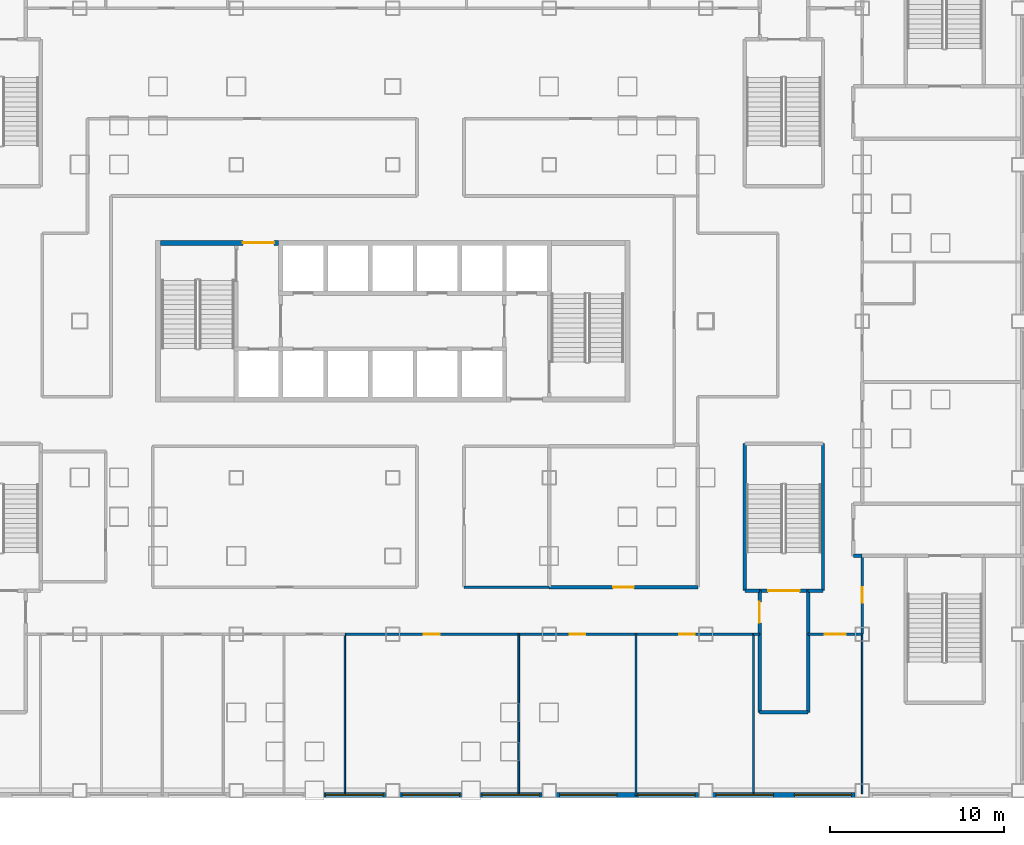
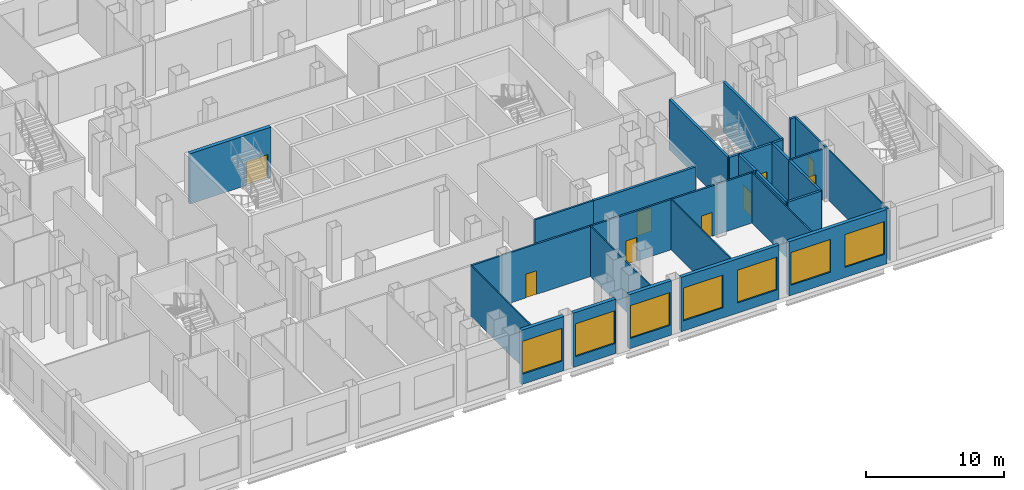
# One storey, part 4 of 23: 30 walls, 9 doors, 7 windows, 16 openings.
"""IFC4 building model written with IfcOpenShell, lengths in metres."""

from ifc_helpers import new_model, si_unit, direction, frame, frame_2d, origin, place, context, subcontext, project, spatial, rectangle, extrude, material, layer, layer_set, type_object, element, fill, save


model = new_model("IFC4")

# Units and contexts
model_context = context("Model", 3, precision=1e-05, world=origin(), true_north=direction((0.0, 1.0)))
body_context = subcontext(model_context, "Body", "Model", "MODEL_VIEW")
ifc_project = project(units=[si_unit("LENGTHUNIT", "METRE"), si_unit("AREAUNIT", "SQUARE_METRE"), si_unit("VOLUMEUNIT", "CUBIC_METRE"), si_unit("PLANEANGLEUNIT", "RADIAN"), si_unit("MASSUNIT", "GRAM", prefix="KILO")], contexts=[model_context])

# Site, building, storey
site_placement = place(None, origin())
site = spatial("IfcSite", under=ifc_project, at=site_placement, CompositionType="ELEMENT")
building_placement = place(site_placement, origin())
building = spatial("IfcBuilding", under=site, at=building_placement, Name="Caravel Reach Hotel and Residences", CompositionType="ELEMENT")
storey_placement = place(building_placement, frame((0.0, 0.0, 24.0)))
storey = spatial("IfcBuildingStorey", under=building, at=storey_placement, Name="L04", CompositionType="ELEMENT", Elevation=24.0)

# Wall, opening, door
ifc_material_1 = material(Name="Autoclaved aerated block wall")
ifc_layer_1 = layer(ifc_material_1, 0.199951171875)
ifc_layer_set_1 = layer_set([ifc_layer_1], Name="Compartment wall 200 mm EI 120")
wall_type_1 = type_object("IfcWallType", Name="Compartment wall 200 mm EI 120", PredefinedType="PARTITIONING", material=ifc_layer_set_1)
wall_1_placement = place(storey_placement, frame((40.5, 11.699951171875, 0.0), z_axis=(0.0, 0.0, 1.0), x_axis=(1.0, 0.0, 0.0)))
wall_1 = element("IfcWall", 1, at=wall_1_placement, inside=storey, type_object=wall_type_1, Name="L04 wall w087", PredefinedType="PARTITIONING", context=body_context, shape_type="SweptSolid", body=[
    extrude(rectangle(XDim=8.550048828125, YDim=0.199951171875, at=frame_2d((4.27490234375, 0.0))), origin(), (0.0, 0.0, 1.0), 4.449951171875),
])
opening_1_placement = place(wall_1_placement, frame((3.675048828125, 0.0, 0.0)))
opening_1 = element("IfcOpeningElement", 2, at=opening_1_placement, cuts=wall_1, Name="Opening D04-057", PredefinedType="OPENING", context=body_context, shape_type="SweptSolid", body=[
    extrude(rectangle(XDim=1.199951171875, YDim=2.10009765625, at=frame_2d((0.60009765625, 1.050048828125))), frame((0.0, 0.10986328125, 0.0), z_axis=(0.0, -1.0, 0.0), x_axis=(1.0, 0.0, 0.0)), (0.0, 0.0, 1.0), 0.219970703125),
])
ifc_material_2 = material(Name="Steel fire door leaf", Category="steel")
door_type_1 = type_object("IfcDoorType", Name="Plant room door 1200 x 2100 EI 60", OperationType="SINGLE_SWING_LEFT", PredefinedType="DOOR", material=ifc_material_2)
door_1_placement = place(opening_1_placement, origin())
door_1 = element("IfcDoor", 3, at=door_1_placement, inside=storey, type_object=door_type_1, Name="door D04-057", OperationType="SINGLE_SWING_RIGHT", OverallHeight=2.10009765625, OverallWidth=1.199951171875, PredefinedType="DOOR", context=body_context, shape_type="SweptSolid", body=[
    extrude(rectangle(XDim=1.199951171875, YDim=2.10009765625, at=frame_2d((0.60009765625, 1.050048828125))), frame((0.0, 0.02490234375, 0.0), z_axis=(0.0, -1.0, 0.0), x_axis=(1.0, 0.0, 0.0)), (0.0, 0.0, 1.0), 0.050048828125),
])
fill(opening_1, door_1)

# Walls
wall_2_placement = place(storey_placement, frame((58.0, 13.5, 0.0), z_axis=(0.0, 0.0, 1.0), x_axis=(1.0, 0.0, 0.0)))
element("IfcWall", 4, at=wall_2_placement, inside=storey, type_object=wall_type_1, Name="L04 wall w088", PredefinedType="PARTITIONING", context=body_context, shape_type="SweptSolid", body=[
    extrude(rectangle(XDim=0.5, YDim=0.199951171875, at=frame_2d((0.25, 0.0))), origin(), (0.0, 0.0, 1.0), 4.449951171875),
])
wall_3_placement = place(storey_placement, frame((52.60009765625, 4.5, 0.0), z_axis=(0.0, 0.0, 1.0), x_axis=(1.0, 0.0, 0.0)))
element("IfcWall", 5, at=wall_3_placement, inside=storey, type_object=wall_type_1, Name="L04 wall w101", PredefinedType="PARTITIONING", context=body_context, shape_type="SweptSolid", body=[
    extrude(rectangle(XDim=2.7998046875, YDim=0.199951171875, at=frame_2d((1.39990234375, 0.0))), origin(), (0.0, 0.0, 1.0), 4.449951171875),
])

# Wall, opening, door
wall_4_placement = place(storey_placement, frame((52.60009765625, 9.0, 0.0), z_axis=(0.0, 0.0, 1.0), x_axis=(0.0, 1.0, 0.0)))
wall_4 = element("IfcWall", 6, at=wall_4_placement, inside=storey, type_object=wall_type_1, Name="L04 wall w118", PredefinedType="PARTITIONING", context=body_context, shape_type="SweptSolid", body=[
    extrude(rectangle(XDim=2.5, YDim=0.199951171875, at=frame_2d((1.25, 0.0))), origin(), (0.0, 0.0, 1.0), 4.449951171875),
])
opening_2_placement = place(wall_4_placement, frame((0.64990234375, 0.0, 0.0)))
opening_2 = element("IfcOpeningElement", 7, at=opening_2_placement, cuts=wall_4, Name="Opening D04-020", PredefinedType="OPENING", context=body_context, shape_type="SweptSolid", body=[
    extrude(rectangle(XDim=1.199951171875, YDim=2.10009765625, at=frame_2d((0.60009765625, 1.050048828125))), frame((0.0, 0.10986328125, 0.0), z_axis=(0.0, -1.0, 0.0), x_axis=(1.0, 0.0, 0.0)), (0.0, 0.0, 1.0), 0.219970703125),
])
ifc_material_3 = material(Name="Steel fire door leaf", Category="steel")
door_type_2 = type_object("IfcDoorType", Name="Fire lobby door 1200 x 2100 EI 90", OperationType="SINGLE_SWING_LEFT", PredefinedType="DOOR", material=ifc_material_3)
door_2_placement = place(opening_2_placement, origin())
door_2 = element("IfcDoor", 8, at=door_2_placement, inside=storey, type_object=door_type_2, Name="door D04-020", OperationType="SINGLE_SWING_RIGHT", OverallHeight=2.10009765625, OverallWidth=1.199951171875, PredefinedType="DOOR", context=body_context, shape_type="SweptSolid", body=[
    extrude(rectangle(XDim=1.199951171875, YDim=2.10009765625, at=frame_2d((0.60009765625, 1.050048828125))), frame((0.0, 0.02490234375, 0.0), z_axis=(0.0, -1.0, 0.0), x_axis=(1.0, 0.0, 0.0)), (0.0, 0.0, 1.0), 0.050048828125),
])
fill(opening_2, door_2)

# Walls
wall_5_placement = place(storey_placement, frame((52.60009765625, 4.5, 0.0), z_axis=(0.0, 0.0, 1.0), x_axis=(0.0, 1.0, 0.0)))
element("IfcWall", 9, at=wall_5_placement, inside=storey, type_object=wall_type_1, Name="L04 wall w119", PredefinedType="PARTITIONING", context=body_context, shape_type="SweptSolid", body=[
    extrude(rectangle(XDim=4.5, YDim=0.199951171875, at=frame_2d((2.25, 0.0))), origin(), (0.0, 0.0, 1.0), 4.449951171875),
])
wall_6_placement = place(storey_placement, frame((55.39990234375, 9.0, 0.0), z_axis=(0.0, 0.0, 1.0), x_axis=(0.0, 1.0, 0.0)))
element("IfcWall", 10, at=wall_6_placement, inside=storey, type_object=wall_type_1, Name="L04 wall w122", PredefinedType="PARTITIONING", context=body_context, shape_type="SweptSolid", body=[
    extrude(rectangle(XDim=2.5, YDim=0.199951171875, at=frame_2d((1.25, 0.0))), origin(), (0.0, 0.0, 1.0), 4.449951171875),
])
wall_7_placement = place(storey_placement, frame((55.39990234375, 4.5, 0.0), z_axis=(0.0, 0.0, 1.0), x_axis=(0.0, 1.0, 0.0)))
element("IfcWall", 11, at=wall_7_placement, inside=storey, type_object=wall_type_1, Name="L04 wall w123", PredefinedType="PARTITIONING", context=body_context, shape_type="SweptSolid", body=[
    extrude(rectangle(XDim=4.5, YDim=0.199951171875, at=frame_2d((2.25, 0.0))), origin(), (0.0, 0.0, 1.0), 4.449951171875),
])

# Wall, opening, door
ifc_material_4 = material(Name="Concrete C60", Category="concrete")
ifc_layer_2 = layer(ifc_material_4, 0.300048828125)
ifc_layer_set_2 = layer_set([ifc_layer_2], Name="Core wall 300 mm EI 120")
wall_type_2 = type_object("IfcWallType", Name="Core wall 300 mm EI 120", PredefinedType="SHEAR", material=ifc_layer_set_2)
wall_8_placement = place(storey_placement, frame((18.14990234375, 31.5, 0.0), z_axis=(0.0, 0.0, 1.0), x_axis=(1.0, 0.0, 0.0)))
wall_8 = element("IfcWall", 12, at=wall_8_placement, inside=storey, type_object=wall_type_2, Name="L04 core wall N1", PredefinedType="SHEAR", context=body_context, shape_type="SweptSolid", body=[
    extrude(rectangle(XDim=6.796630859375, YDim=0.300048828125, at=frame_2d((3.3984375, 0.0))), origin(), (0.0, 0.0, 1.0), 4.449951171875),
])
opening_3_placement = place(wall_8_placement, frame((4.735595703125, 0.0, 0.0)))
opening_3 = element("IfcOpeningElement", 13, at=opening_3_placement, cuts=wall_8, Name="Opening D04-012", PredefinedType="OPENING", context=body_context, shape_type="SweptSolid", body=[
    extrude(rectangle(XDim=1.800048828125, YDim=2.10009765625, at=frame_2d((0.89990234375, 1.050048828125))), frame((0.0, 0.159912109375, 0.0), z_axis=(0.0, -1.0, 0.0), x_axis=(1.0, 0.0, 0.0)), (0.0, 0.0, 1.0), 0.320068359375),
])
ifc_material_5 = material(Name="Steel fire door leaf", Category="steel")
door_type_3 = type_object("IfcDoorType", Name="Fire lobby door pair 1800 x 2100 EI 90", OperationType="DOUBLE_DOOR_SINGLE_SWING", PredefinedType="DOOR", material=ifc_material_5)
door_3_placement = place(opening_3_placement, origin())
door_3 = element("IfcDoor", 14, at=door_3_placement, inside=storey, type_object=door_type_3, Name="lobby N door pair to corridor", OperationType="DOUBLE_DOOR_SINGLE_SWING", OverallHeight=2.10009765625, OverallWidth=1.800048828125, PredefinedType="DOOR", context=body_context, shape_type="SweptSolid", body=[
    extrude(rectangle(XDim=1.800048828125, YDim=2.10009765625, at=frame_2d((0.89990234375, 1.050048828125))), frame((0.0, 0.02490234375, 0.0), z_axis=(0.0, -1.0, 0.0), x_axis=(1.0, 0.0, 0.0)), (0.0, 0.0, 1.0), 0.050048828125),
])
fill(opening_3, door_3)

# Wall
ifc_material_6 = material(Name="Gypsum board on steel stud, fire-rated", Category="steel")
ifc_layer_3 = layer(ifc_material_6, 0.14990234375)
ifc_layer_set_3 = layer_set([ifc_layer_3], Name="Corridor wall 150 mm EI 60")
wall_type_3 = type_object("IfcWallType", Name="Corridor wall 150 mm EI 60", PredefinedType="PARTITIONING", material=ifc_layer_set_3)
wall_9_placement = place(storey_placement, frame((35.60009765625, 11.699951171875, 0.0), z_axis=(0.0, 0.0, 1.0), x_axis=(1.0, 0.0, 0.0)))
element("IfcWall", 15, at=wall_9_placement, inside=storey, type_object=wall_type_3, Name="L04 wall w001", PredefinedType="PARTITIONING", context=body_context, shape_type="SweptSolid", body=[
    extrude(rectangle(XDim=4.89990234375, YDim=0.14990234375, at=frame_2d((2.449951171875, 0.0))), origin(), (0.0, 0.0, 1.0), 4.449951171875),
])

# Wall, opening, door
wall_10_placement = place(storey_placement, frame((28.75, 9.0, 0.0), z_axis=(0.0, 0.0, 1.0), x_axis=(1.0, 0.0, 0.0)))
wall_10 = element("IfcWall", 16, at=wall_10_placement, inside=storey, type_object=wall_type_3, Name="L04 wall w029", PredefinedType="PARTITIONING", context=body_context, shape_type="SweptSolid", body=[
    extrude(rectangle(XDim=10.0, YDim=0.14990234375, at=frame_2d((5.0, 0.0))), origin(), (0.0, 0.0, 1.0), 4.449951171875),
])
opening_4_placement = place(wall_10_placement, frame((4.550048828125, 0.0, 0.0)))
opening_4 = element("IfcOpeningElement", 17, at=opening_4_placement, cuts=wall_10, Name="Opening D04-046", PredefinedType="OPENING", context=body_context, shape_type="SweptSolid", body=[
    extrude(rectangle(XDim=0.89990234375, YDim=2.10009765625, at=frame_2d((0.449951171875, 1.050048828125))), frame((0.0, 0.0849609375, 0.0), z_axis=(0.0, -1.0, 0.0), x_axis=(1.0, 0.0, 0.0)), (0.0, 0.0, 1.0), 0.169921875),
])
ifc_material_7 = material(Name="Timber and steel door leaf", Category="steel")
door_type_4 = type_object("IfcDoorType", Name="Door 900 x 2100 timber", OperationType="SINGLE_SWING_LEFT", PredefinedType="DOOR", material=ifc_material_7)
door_4_placement = place(opening_4_placement, origin())
door_4 = element("IfcDoor", 18, at=door_4_placement, inside=storey, type_object=door_type_4, Name="door D04-046", OperationType="SINGLE_SWING_RIGHT", OverallHeight=2.10009765625, OverallWidth=0.89990234375, PredefinedType="DOOR", context=body_context, shape_type="SweptSolid", body=[
    extrude(rectangle(XDim=0.89990234375, YDim=2.10009765625, at=frame_2d((0.449951171875, 1.050048828125))), frame((0.0, 0.02490234375, 0.0), z_axis=(0.0, -1.0, 0.0), x_axis=(1.0, 0.0, 0.0)), (0.0, 0.0, 1.0), 0.050048828125),
])
fill(opening_4, door_4)

wall_11_placement = place(storey_placement, frame((38.75, 9.0, 0.0), z_axis=(0.0, 0.0, 1.0), x_axis=(1.0, 0.0, 0.0)))
wall_11 = element("IfcWall", 19, at=wall_11_placement, inside=storey, type_object=wall_type_3, Name="L04 wall w030", PredefinedType="PARTITIONING", context=body_context, shape_type="SweptSolid", body=[
    extrude(rectangle(XDim=6.75, YDim=0.14990234375, at=frame_2d((3.375, 0.0))), origin(), (0.0, 0.0, 1.0), 4.449951171875),
])
opening_5_placement = place(wall_11_placement, frame((2.925048828125, 0.0, 0.0)))
opening_5 = element("IfcOpeningElement", 20, at=opening_5_placement, cuts=wall_11, Name="Opening D04-047", PredefinedType="OPENING", context=body_context, shape_type="SweptSolid", body=[
    extrude(rectangle(XDim=0.89990234375, YDim=2.10009765625, at=frame_2d((0.449951171875, 1.050048828125))), frame((0.0, 0.0849609375, 0.0), z_axis=(0.0, -1.0, 0.0), x_axis=(1.0, 0.0, 0.0)), (0.0, 0.0, 1.0), 0.169921875),
])
door_5_placement = place(opening_5_placement, origin())
door_5 = element("IfcDoor", 21, at=door_5_placement, inside=storey, type_object=door_type_4, Name="door D04-047", OperationType="SINGLE_SWING_RIGHT", OverallHeight=2.10009765625, OverallWidth=0.89990234375, PredefinedType="DOOR", context=body_context, shape_type="SweptSolid", body=[
    extrude(rectangle(XDim=0.89990234375, YDim=2.10009765625, at=frame_2d((0.449951171875, 1.050048828125))), frame((0.0, 0.02490234375, 0.0), z_axis=(0.0, -1.0, 0.0), x_axis=(1.0, 0.0, 0.0)), (0.0, 0.0, 1.0), 0.050048828125),
])
fill(opening_5, door_5)

wall_12_placement = place(storey_placement, frame((45.5, 9.0, 0.0), z_axis=(0.0, 0.0, 1.0), x_axis=(1.0, 0.0, 0.0)))
wall_12 = element("IfcWall", 22, at=wall_12_placement, inside=storey, type_object=wall_type_3, Name="L04 wall w031", PredefinedType="PARTITIONING", context=body_context, shape_type="SweptSolid", body=[
    extrude(rectangle(XDim=6.75, YDim=0.14990234375, at=frame_2d((3.375, 0.0))), origin(), (0.0, 0.0, 1.0), 4.449951171875),
])
opening_6_placement = place(wall_12_placement, frame((2.47509765625, 0.0, 0.0)))
opening_6 = element("IfcOpeningElement", 23, at=opening_6_placement, cuts=wall_12, Name="Opening D04-048", PredefinedType="OPENING", context=body_context, shape_type="SweptSolid", body=[
    extrude(rectangle(XDim=0.89990234375, YDim=2.10009765625, at=frame_2d((0.449951171875, 1.050048828125))), frame((0.0, 0.0849609375, 0.0), z_axis=(0.0, -1.0, 0.0), x_axis=(1.0, 0.0, 0.0)), (0.0, 0.0, 1.0), 0.169921875),
])
door_6_placement = place(opening_6_placement, origin())
door_6 = element("IfcDoor", 24, at=door_6_placement, inside=storey, type_object=door_type_4, Name="door D04-048", OperationType="SINGLE_SWING_LEFT", OverallHeight=2.10009765625, OverallWidth=0.89990234375, PredefinedType="DOOR", context=body_context, shape_type="SweptSolid", body=[
    extrude(rectangle(XDim=0.89990234375, YDim=2.10009765625, at=frame_2d((0.449951171875, 1.050048828125))), frame((0.0, 0.02490234375, 0.0), z_axis=(0.0, -1.0, 0.0), x_axis=(1.0, 0.0, 0.0)), (0.0, 0.0, 1.0), 0.050048828125),
])
fill(opening_6, door_6)

# Wall
wall_13_placement = place(storey_placement, frame((52.25, 9.0, 0.0), z_axis=(0.0, 0.0, 1.0), x_axis=(1.0, 0.0, 0.0)))
element("IfcWall", 25, at=wall_13_placement, inside=storey, type_object=wall_type_3, Name="L04 wall w032", PredefinedType="PARTITIONING", context=body_context, shape_type="SweptSolid", body=[
    extrude(rectangle(XDim=0.35009765625, YDim=0.14990234375, at=frame_2d((0.175048828125, 0.0))), origin(), (0.0, 0.0, 1.0), 4.449951171875),
])

# Wall, opening, door
wall_14_placement = place(storey_placement, frame((55.39990234375, 9.0, 0.0), z_axis=(0.0, 0.0, 1.0), x_axis=(1.0, 0.0, 0.0)))
wall_14 = element("IfcWall", 26, at=wall_14_placement, inside=storey, type_object=wall_type_3, Name="L04 wall w033", PredefinedType="PARTITIONING", context=body_context, shape_type="SweptSolid", body=[
    extrude(rectangle(XDim=3.10009765625, YDim=0.14990234375, at=frame_2d((1.550048828125, 0.0))), origin(), (0.0, 0.0, 1.0), 4.449951171875),
])
opening_7_placement = place(wall_14_placement, frame((0.949951171875, 0.0, 0.0)))
opening_7 = element("IfcOpeningElement", 27, at=opening_7_placement, cuts=wall_14, Name="Opening D04-049", PredefinedType="OPENING", context=body_context, shape_type="SweptSolid", body=[
    extrude(rectangle(XDim=1.199951171875, YDim=2.39990234375, at=frame_2d((0.60009765625, 1.199951171875))), frame((0.0, 0.0849609375, 0.0), z_axis=(0.0, -1.0, 0.0), x_axis=(1.0, 0.0, 0.0)), (0.0, 0.0, 1.0), 0.169921875),
])
ifc_material_8 = material(Name="Timber and steel door leaf", Category="steel")
door_type_5 = type_object("IfcDoorType", Name="Glazed door 1200 x 2400", OperationType="SINGLE_SWING_LEFT", PredefinedType="DOOR", material=ifc_material_8)
door_7_placement = place(opening_7_placement, origin())
door_7 = element("IfcDoor", 28, at=door_7_placement, inside=storey, type_object=door_type_5, Name="door D04-049", OperationType="SINGLE_SWING_LEFT", OverallHeight=2.39990234375, OverallWidth=1.199951171875, PredefinedType="DOOR", context=body_context, shape_type="SweptSolid", body=[
    extrude(rectangle(XDim=1.199951171875, YDim=2.39990234375, at=frame_2d((0.60009765625, 1.199951171875))), frame((0.0, 0.02490234375, 0.0), z_axis=(0.0, -1.0, 0.0), x_axis=(1.0, 0.0, 0.0)), (0.0, 0.0, 1.0), 0.050048828125),
])
fill(opening_7, door_7)

wall_15_placement = place(storey_placement, frame((58.5, 9.0, 0.0), z_axis=(0.0, 0.0, 1.0), x_axis=(0.0, 1.0, 0.0)))
wall_15 = element("IfcWall", 29, at=wall_15_placement, inside=storey, type_object=wall_type_3, Name="L04 wall w054", PredefinedType="PARTITIONING", context=body_context, shape_type="SweptSolid", body=[
    extrude(rectangle(XDim=4.5, YDim=0.14990234375, at=frame_2d((2.25, 0.0))), origin(), (0.0, 0.0, 1.0), 4.449951171875),
])
opening_8_placement = place(wall_15_placement, frame((1.800048828125, 0.0, 0.0)))
opening_8 = element("IfcOpeningElement", 30, at=opening_8_placement, cuts=wall_15, Name="Opening D04-034", PredefinedType="OPENING", context=body_context, shape_type="SweptSolid", body=[
    extrude(rectangle(XDim=0.89990234375, YDim=2.10009765625, at=frame_2d((0.449951171875, 1.050048828125))), frame((0.0, 0.0849609375, 0.0), z_axis=(0.0, -1.0, 0.0), x_axis=(1.0, 0.0, 0.0)), (0.0, 0.0, 1.0), 0.169921875),
])
door_8_placement = place(opening_8_placement, origin())
door_8 = element("IfcDoor", 31, at=door_8_placement, inside=storey, type_object=door_type_4, Name="door D04-034", OperationType="SINGLE_SWING_LEFT", OverallHeight=2.10009765625, OverallWidth=0.89990234375, PredefinedType="DOOR", context=body_context, shape_type="SweptSolid", body=[
    extrude(rectangle(XDim=0.89990234375, YDim=2.10009765625, at=frame_2d((0.449951171875, 1.050048828125))), frame((0.0, 0.02490234375, 0.0), z_axis=(0.0, -1.0, 0.0), x_axis=(1.0, 0.0, 0.0)), (0.0, 0.0, 1.0), 0.050048828125),
])
fill(opening_8, door_8)

# Wall, opening, window
ifc_material_9 = material(Name="Insulated wall, stone cladding", Category="masonry")
ifc_layer_4 = layer(ifc_material_9, 0.300048828125)
ifc_layer_set_4 = layer_set([ifc_layer_4], Name="EW2 Podium stone-clad wall")
wall_type_4 = type_object("IfcWallType", Name="EW2 Podium stone-clad wall", PredefinedType="SOLIDWALL", material=ifc_layer_set_4)
wall_16_placement = place(storey_placement, frame((27.550048828125, -0.25, 0.0), z_axis=(0.0, 0.0, 1.0), x_axis=(1.0, 0.0, 0.0)))
wall_16 = element("IfcWall", 32, at=wall_16_placement, inside=storey, type_object=wall_type_4, Name="External wall L04 S4.5", PredefinedType="SOLIDWALL", context=body_context, shape_type="SweptSolid", body=[
    extrude(rectangle(XDim=3.550048828125, YDim=0.300048828125, at=frame_2d((1.77490234375, 0.0))), origin(), (0.0, 0.0, 1.0), 4.800048828125),
])
opening_9_placement = place(wall_16_placement, frame((0.10009765625, 0.0, 0.89990234375)))
opening_9 = element("IfcOpeningElement", 33, at=opening_9_placement, cuts=wall_16, Name="Opening WN32", PredefinedType="OPENING", context=body_context, shape_type="SweptSolid", body=[
    extrude(rectangle(XDim=3.300048828125, YDim=2.89990234375, at=frame_2d((1.64990234375, 1.449951171875))), frame((0.0, 0.159912109375, 0.0), z_axis=(0.0, -1.0, 0.0), x_axis=(1.0, 0.0, 0.0)), (0.0, 0.0, 1.0), 0.320068359375),
])
ifc_material_10 = material(Name="Dark low-e glazing in black aluminium frame", Category="aluminium")
window_type = type_object("IfcWindowType", Name="Podium window 3300 x 2900", PartitioningType="SINGLE_PANEL", PredefinedType="WINDOW", material=ifc_material_10)
window_1_placement = place(opening_9_placement, origin())
window_1 = element("IfcWindow", 34, at=window_1_placement, inside=storey, type_object=window_type, Name="Window L04 S4.5.1", OverallHeight=2.89990234375, OverallWidth=3.300048828125, PartitioningType="SINGLE_PANEL", PredefinedType="WINDOW", context=body_context, shape_type="SweptSolid", body=[
    extrude(rectangle(XDim=3.300048828125, YDim=2.89990234375, at=frame_2d((1.64990234375, 1.449951171875))), frame((0.0, 0.030029296875, 0.0), z_axis=(0.0, -1.0, 0.0), x_axis=(1.0, 0.0, 0.0)), (0.0, 0.0, 1.0), 0.06005859375),
])
fill(opening_9, window_1)

wall_17_placement = place(storey_placement, frame((31.89990234375, -0.25, 0.0), z_axis=(0.0, 0.0, 1.0), x_axis=(1.0, 0.0, 0.0)))
wall_17 = element("IfcWall", 35, at=wall_17_placement, inside=storey, type_object=wall_type_4, Name="External wall L04 S4.6", PredefinedType="SOLIDWALL", context=body_context, shape_type="SweptSolid", body=[
    extrude(rectangle(XDim=3.550048828125, YDim=0.300048828125, at=frame_2d((1.77490234375, 0.0))), origin(), (0.0, 0.0, 1.0), 4.800048828125),
])
opening_10_placement = place(wall_17_placement, frame((0.14990234375, 0.0, 0.89990234375)))
opening_10 = element("IfcOpeningElement", 36, at=opening_10_placement, cuts=wall_17, Name="Opening WN32", PredefinedType="OPENING", context=body_context, shape_type="SweptSolid", body=[
    extrude(rectangle(XDim=3.300048828125, YDim=2.89990234375, at=frame_2d((1.64990234375, 1.449951171875))), frame((0.0, 0.159912109375, 0.0), z_axis=(0.0, -1.0, 0.0), x_axis=(1.0, 0.0, 0.0)), (0.0, 0.0, 1.0), 0.320068359375),
])
window_2_placement = place(opening_10_placement, origin())
window_2 = element("IfcWindow", 37, at=window_2_placement, inside=storey, type_object=window_type, Name="Window L04 S4.6.1", OverallHeight=2.89990234375, OverallWidth=3.300048828125, PartitioningType="SINGLE_PANEL", PredefinedType="WINDOW", context=body_context, shape_type="SweptSolid", body=[
    extrude(rectangle(XDim=3.300048828125, YDim=2.89990234375, at=frame_2d((1.64990234375, 1.449951171875))), frame((0.0, 0.030029296875, 0.0), z_axis=(0.0, -1.0, 0.0), x_axis=(1.0, 0.0, 0.0)), (0.0, 0.0, 1.0), 0.06005859375),
])
fill(opening_10, window_2)

wall_18_placement = place(storey_placement, frame((36.550048828125, -0.25, 0.0), z_axis=(0.0, 0.0, 1.0), x_axis=(1.0, 0.0, 0.0)))
wall_18 = element("IfcWall", 38, at=wall_18_placement, inside=storey, type_object=wall_type_4, Name="External wall L04 S4.7", PredefinedType="SOLIDWALL", context=body_context, shape_type="SweptSolid", body=[
    extrude(rectangle(XDim=3.550048828125, YDim=0.300048828125, at=frame_2d((1.77490234375, 0.0))), origin(), (0.0, 0.0, 1.0), 4.800048828125),
])
opening_11_placement = place(wall_18_placement, frame((0.10009765625, 0.0, 0.89990234375)))
opening_11 = element("IfcOpeningElement", 39, at=opening_11_placement, cuts=wall_18, Name="Opening WN32", PredefinedType="OPENING", context=body_context, shape_type="SweptSolid", body=[
    extrude(rectangle(XDim=3.300048828125, YDim=2.89990234375, at=frame_2d((1.64990234375, 1.449951171875))), frame((0.0, 0.159912109375, 0.0), z_axis=(0.0, -1.0, 0.0), x_axis=(1.0, 0.0, 0.0)), (0.0, 0.0, 1.0), 0.320068359375),
])
window_3_placement = place(opening_11_placement, origin())
window_3 = element("IfcWindow", 40, at=window_3_placement, inside=storey, type_object=window_type, Name="Window L04 S4.7.1", OverallHeight=2.89990234375, OverallWidth=3.300048828125, PartitioningType="SINGLE_PANEL", PredefinedType="WINDOW", context=body_context, shape_type="SweptSolid", body=[
    extrude(rectangle(XDim=3.300048828125, YDim=2.89990234375, at=frame_2d((1.64990234375, 1.449951171875))), frame((0.0, 0.030029296875, 0.0), z_axis=(0.0, -1.0, 0.0), x_axis=(1.0, 0.0, 0.0)), (0.0, 0.0, 1.0), 0.06005859375),
])
fill(opening_11, window_3)

# Wall, openings, windows
wall_19_placement = place(storey_placement, frame((40.89990234375, -0.25, 0.0), z_axis=(0.0, 0.0, 1.0), x_axis=(1.0, 0.0, 0.0)))
wall_19 = element("IfcWall", 41, at=wall_19_placement, inside=storey, type_object=wall_type_4, Name="External wall L04 S4.8", PredefinedType="SOLIDWALL", context=body_context, shape_type="SweptSolid", body=[
    extrude(rectangle(XDim=8.2001953125, YDim=0.300048828125, at=frame_2d((4.10009765625, 0.0))), origin(), (0.0, 0.0, 1.0), 4.800048828125),
])
opening_12_placement = place(wall_19_placement, frame((0.199951171875, 0.0, 0.89990234375)))
opening_12 = element("IfcOpeningElement", 42, at=opening_12_placement, cuts=wall_19, Name="Opening WN32", PredefinedType="OPENING", context=body_context, shape_type="SweptSolid", body=[
    extrude(rectangle(XDim=3.300048828125, YDim=2.89990234375, at=frame_2d((1.64990234375, 1.449951171875))), frame((0.0, 0.159912109375, 0.0), z_axis=(0.0, -1.0, 0.0), x_axis=(1.0, 0.0, 0.0)), (0.0, 0.0, 1.0), 0.320068359375),
])
opening_13_placement = place(wall_19_placement, frame((4.699951171875, 0.0, 0.89990234375)))
opening_13 = element("IfcOpeningElement", 43, at=opening_13_placement, cuts=wall_19, Name="Opening WN32", PredefinedType="OPENING", context=body_context, shape_type="SweptSolid", body=[
    extrude(rectangle(XDim=3.300048828125, YDim=2.89990234375, at=frame_2d((1.64990234375, 1.449951171875))), frame((0.0, 0.159912109375, 0.0), z_axis=(0.0, -1.0, 0.0), x_axis=(1.0, 0.0, 0.0)), (0.0, 0.0, 1.0), 0.320068359375),
])
window_4_placement = place(opening_12_placement, origin())
window_4 = element("IfcWindow", 44, at=window_4_placement, inside=storey, type_object=window_type, Name="Window L04 S4.8.1", OverallHeight=2.89990234375, OverallWidth=3.300048828125, PartitioningType="SINGLE_PANEL", PredefinedType="WINDOW", context=body_context, shape_type="SweptSolid", body=[
    extrude(rectangle(XDim=3.300048828125, YDim=2.89990234375, at=frame_2d((1.64990234375, 1.449951171875))), frame((0.0, 0.030029296875, 0.0), z_axis=(0.0, -1.0, 0.0), x_axis=(1.0, 0.0, 0.0)), (0.0, 0.0, 1.0), 0.06005859375),
])
fill(opening_12, window_4)
window_5_placement = place(opening_13_placement, origin())
window_5 = element("IfcWindow", 45, at=window_5_placement, inside=storey, type_object=window_type, Name="Window L04 S4.8.2", OverallHeight=2.89990234375, OverallWidth=3.300048828125, PartitioningType="SINGLE_PANEL", PredefinedType="WINDOW", context=body_context, shape_type="SweptSolid", body=[
    extrude(rectangle(XDim=3.300048828125, YDim=2.89990234375, at=frame_2d((1.64990234375, 1.449951171875))), frame((0.0, 0.030029296875, 0.0), z_axis=(0.0, -1.0, 0.0), x_axis=(1.0, 0.0, 0.0)), (0.0, 0.0, 1.0), 0.06005859375),
])
fill(opening_13, window_5)

wall_20_placement = place(storey_placement, frame((49.89990234375, -0.25, 0.0), z_axis=(0.0, 0.0, 1.0), x_axis=(1.0, 0.0, 0.0)))
wall_20 = element("IfcWall", 46, at=wall_20_placement, inside=storey, type_object=wall_type_4, Name="External wall L04 S4.9", PredefinedType="SOLIDWALL", context=body_context, shape_type="SweptSolid", body=[
    extrude(rectangle(XDim=8.2001953125, YDim=0.300048828125, at=frame_2d((4.10009765625, 0.0))), origin(), (0.0, 0.0, 1.0), 4.800048828125),
])
opening_14_placement = place(wall_20_placement, frame((0.199951171875, 0.0, 0.89990234375)))
opening_14 = element("IfcOpeningElement", 47, at=opening_14_placement, cuts=wall_20, Name="Opening WN32", PredefinedType="OPENING", context=body_context, shape_type="SweptSolid", body=[
    extrude(rectangle(XDim=3.300048828125, YDim=2.89990234375, at=frame_2d((1.64990234375, 1.449951171875))), frame((0.0, 0.159912109375, 0.0), z_axis=(0.0, -1.0, 0.0), x_axis=(1.0, 0.0, 0.0)), (0.0, 0.0, 1.0), 0.320068359375),
])
opening_15_placement = place(wall_20_placement, frame((4.699951171875, 0.0, 0.89990234375)))
opening_15 = element("IfcOpeningElement", 48, at=opening_15_placement, cuts=wall_20, Name="Opening WN32", PredefinedType="OPENING", context=body_context, shape_type="SweptSolid", body=[
    extrude(rectangle(XDim=3.300048828125, YDim=2.89990234375, at=frame_2d((1.64990234375, 1.449951171875))), frame((0.0, 0.159912109375, 0.0), z_axis=(0.0, -1.0, 0.0), x_axis=(1.0, 0.0, 0.0)), (0.0, 0.0, 1.0), 0.320068359375),
])
window_6_placement = place(opening_14_placement, origin())
window_6 = element("IfcWindow", 49, at=window_6_placement, inside=storey, type_object=window_type, Name="Window L04 S4.9.1", OverallHeight=2.89990234375, OverallWidth=3.300048828125, PartitioningType="SINGLE_PANEL", PredefinedType="WINDOW", context=body_context, shape_type="SweptSolid", body=[
    extrude(rectangle(XDim=3.300048828125, YDim=2.89990234375, at=frame_2d((1.64990234375, 1.449951171875))), frame((0.0, 0.030029296875, 0.0), z_axis=(0.0, -1.0, 0.0), x_axis=(1.0, 0.0, 0.0)), (0.0, 0.0, 1.0), 0.06005859375),
])
fill(opening_14, window_6)
window_7_placement = place(opening_15_placement, origin())
window_7 = element("IfcWindow", 50, at=window_7_placement, inside=storey, type_object=window_type, Name="Window L04 S4.9.2", OverallHeight=2.89990234375, OverallWidth=3.300048828125, PartitioningType="SINGLE_PANEL", PredefinedType="WINDOW", context=body_context, shape_type="SweptSolid", body=[
    extrude(rectangle(XDim=3.300048828125, YDim=2.89990234375, at=frame_2d((1.64990234375, 1.449951171875))), frame((0.0, 0.030029296875, 0.0), z_axis=(0.0, -1.0, 0.0), x_axis=(1.0, 0.0, 0.0)), (0.0, 0.0, 1.0), 0.06005859375),
])
fill(opening_15, window_7)

# Walls
ifc_material_11 = material(Name="Gypsum board on steel stud", Category="steel")
ifc_layer_5 = layer(ifc_material_11, 0.10009765625)
ifc_layer_set_5 = layer_set([ifc_layer_5], Name="Partition 100 mm")
wall_type_5 = type_object("IfcWallType", Name="Partition 100 mm", PredefinedType="PARTITIONING", material=ifc_layer_set_5)
for number, where, z_axis, x_axis, name in (
    (51, (28.75, -0.1201171875, 0.0), (0.0, 0.0, 1.0), (0.0, 1.0, 0.0), "L04 wall w078"),
    (52, (38.75, -0.1201171875, 0.0), (0.0, 0.0, 1.0), (0.0, 1.0, 0.0), "L04 wall w080"),
):
    element("IfcWall", number, at=place(storey_placement, frame(where, z_axis=z_axis, x_axis=x_axis)), inside=storey, type_object=wall_type_5, Name=name, PredefinedType="PARTITIONING", context=body_context, shape_type="SweptSolid", body=[
        extrude(rectangle(XDim=9.1201171875, YDim=0.10009765625, at=frame_2d((4.56005859375, 0.0))), origin(), (0.0, 0.0, 1.0), 4.449951171875),
    ])
wall_21_placement = place(storey_placement, frame((45.5, -0.2900390625, 0.0), z_axis=(0.0, 0.0, 1.0), x_axis=(0.0, 1.0, 0.0)))
element("IfcWall", 53, at=wall_21_placement, inside=storey, type_object=wall_type_5, Name="L04 wall w082", PredefinedType="PARTITIONING", context=body_context, shape_type="SweptSolid", body=[
    extrude(rectangle(XDim=9.2900390625, YDim=0.10009765625, at=frame_2d((4.64501953125, 0.0))), origin(), (0.0, 0.0, 1.0), 4.449951171875),
])
wall_22_placement = place(storey_placement, frame((52.25, -0.1201171875, 0.0), z_axis=(0.0, 0.0, 1.0), x_axis=(0.0, 1.0, 0.0)))
element("IfcWall", 54, at=wall_22_placement, inside=storey, type_object=wall_type_5, Name="L04 wall w084", PredefinedType="PARTITIONING", context=body_context, shape_type="SweptSolid", body=[
    extrude(rectangle(XDim=9.1201171875, YDim=0.10009765625, at=frame_2d((4.56005859375, 0.0))), origin(), (0.0, 0.0, 1.0), 4.449951171875),
])
wall_23_placement = place(storey_placement, frame((58.5, -0.18994140625, 0.0), z_axis=(0.0, 0.0, 1.0), x_axis=(0.0, 1.0, 0.0)))
element("IfcWall", 55, at=wall_23_placement, inside=storey, type_object=wall_type_5, Name="L04 wall w085", PredefinedType="PARTITIONING", context=body_context, shape_type="SweptSolid", body=[
    extrude(rectangle(XDim=9.18994140625, YDim=0.10009765625, at=frame_2d((4.594970703125, 0.0))), origin(), (0.0, 0.0, 1.0), 4.449951171875),
])
ifc_material_12 = material(Name="Concrete C60", Category="concrete")
ifc_layer_6 = layer(ifc_material_12, 0.199951171875)
ifc_layer_set_6 = layer_set([ifc_layer_6], Name="Stair enclosure wall 200 mm EI 120")
wall_type_6 = type_object("IfcWallType", Name="Stair enclosure wall 200 mm EI 120", PredefinedType="SHEAR", material=ifc_layer_set_6)
for number, where, z_axis, x_axis, name in (
    (56, (51.75, 11.5, 0.0), (0.0, 0.0, 1.0), (1.0, 0.0, 0.0), "L04 wall w134"),
    (57, (55.39990234375, 11.5, 0.0), (0.0, 0.0, 1.0), (1.0, 0.0, 0.0), "L04 wall w135"),
):
    element("IfcWall", number, at=place(storey_placement, frame(where, z_axis=z_axis, x_axis=x_axis)), inside=storey, type_object=wall_type_6, Name=name, PredefinedType="SHEAR", context=body_context, shape_type="SweptSolid", body=[
        extrude(rectangle(XDim=0.85009765625, YDim=0.199951171875, at=frame_2d((0.425048828125, 0.0))), origin(), (0.0, 0.0, 1.0), 4.449951171875),
    ])

# Wall, opening, door
wall_24_placement = place(storey_placement, frame((52.60009765625, 11.5, 0.0), z_axis=(0.0, 0.0, 1.0), x_axis=(1.0, 0.0, 0.0)))
wall_24 = element("IfcWall", 58, at=wall_24_placement, inside=storey, type_object=wall_type_6, Name="L04 wall w136", PredefinedType="SHEAR", context=body_context, shape_type="SweptSolid", body=[
    extrude(rectangle(XDim=2.7998046875, YDim=0.199951171875, at=frame_2d((1.39990234375, 0.0))), origin(), (0.0, 0.0, 1.0), 4.449951171875),
])
opening_16_placement = place(wall_24_placement, frame((0.5, 0.0, 0.0)))
opening_16 = element("IfcOpeningElement", 59, at=opening_16_placement, cuts=wall_24, Name="Opening D04-021", PredefinedType="OPENING", context=body_context, shape_type="SweptSolid", body=[
    extrude(rectangle(XDim=1.800048828125, YDim=2.10009765625, at=frame_2d((0.89990234375, 1.050048828125))), frame((0.0, 0.10986328125, 0.0), z_axis=(0.0, -1.0, 0.0), x_axis=(1.0, 0.0, 0.0)), (0.0, 0.0, 1.0), 0.219970703125),
])
ifc_material_13 = material(Name="Steel fire door leaf", Category="steel")
door_type_6 = type_object("IfcDoorType", Name="Stair door pair 1800 x 2100 EI 90", OperationType="DOUBLE_DOOR_SINGLE_SWING", PredefinedType="DOOR", material=ifc_material_13)
door_9_placement = place(opening_16_placement, origin())
door_9 = element("IfcDoor", 60, at=door_9_placement, inside=storey, type_object=door_type_6, Name="door D04-021", OperationType="DOUBLE_DOOR_SINGLE_SWING", OverallHeight=2.10009765625, OverallWidth=1.800048828125, PredefinedType="DOOR", context=body_context, shape_type="SweptSolid", body=[
    extrude(rectangle(XDim=1.800048828125, YDim=2.10009765625, at=frame_2d((0.89990234375, 1.050048828125))), frame((0.0, 0.02490234375, 0.0), z_axis=(0.0, -1.0, 0.0), x_axis=(1.0, 0.0, 0.0)), (0.0, 0.0, 1.0), 0.050048828125),
])
fill(opening_16, door_9)

# Walls
for number, where, z_axis, x_axis, name in (
    (61, (51.75, 11.5, 0.0), (0.0, 0.0, 1.0), (0.0, 1.0, 0.0), "L04 wall w160"),
    (62, (56.25, 11.5, 0.0), (0.0, 0.0, 1.0), (0.0, 1.0, 0.0), "L04 wall w162"),
):
    element("IfcWall", number, at=place(storey_placement, frame(where, z_axis=z_axis, x_axis=x_axis)), inside=storey, type_object=wall_type_6, Name=name, PredefinedType="SHEAR", context=body_context, shape_type="SweptSolid", body=[
        extrude(rectangle(XDim=8.449951171875, YDim=0.199951171875, at=frame_2d((4.22509765625, 0.0))), origin(), (0.0, 0.0, 1.0), 4.449951171875),
    ])

save(model, "model.ifc")
